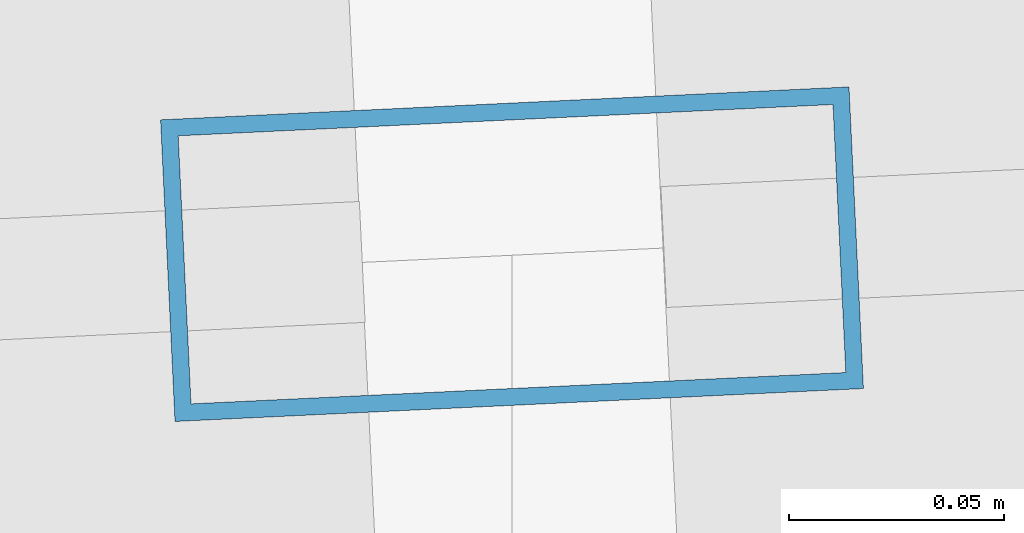
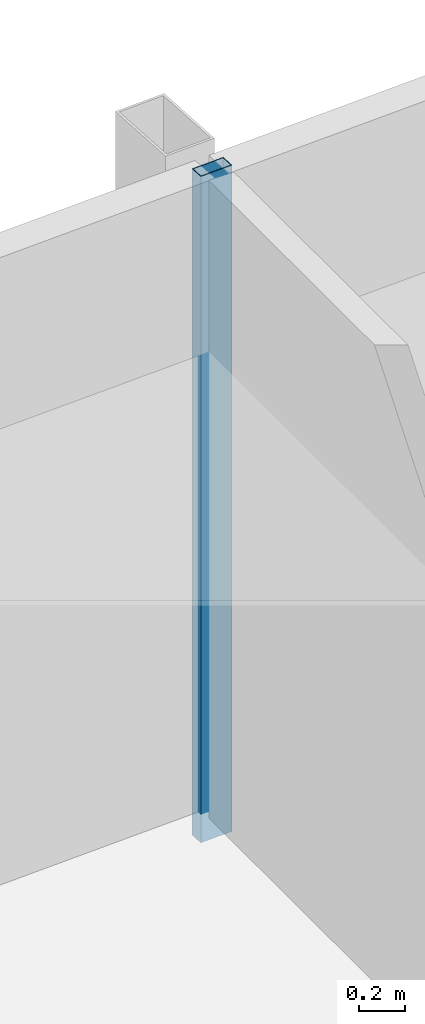
# One storey, part 21 of 38: 1 member, 1 element without a shape of its own.
"""IFC4 building model written with IfcOpenShell, lengths in metres."""

from ifc_helpers import new_model, si_unit, direction, frame, origin, origin_2d, place, context, subcontext, project, spatial, hollow_rectangle, extrude, material, material_profile, profile_set, type_object, element, aggregate, save


model = new_model("IFC4")

# Units and contexts
model_context = context("Model", 3, precision=1e-05, world=origin(), true_north=direction((0.0, 1.0)))
body_context = subcontext(model_context, "Body", "Model", "MODEL_VIEW")
ifc_project = project(units=[si_unit("LENGTHUNIT", "METRE"), si_unit("AREAUNIT", "SQUARE_METRE"), si_unit("VOLUMEUNIT", "CUBIC_METRE"), si_unit("PLANEANGLEUNIT", "RADIAN"), si_unit("MASSUNIT", "GRAM", prefix="KILO")], contexts=[model_context])

# Site, building, storey
site_placement = place(None, origin())
site = spatial("IfcSite", under=ifc_project, at=site_placement, CompositionType="ELEMENT")
building_placement = place(site_placement, origin())
building = spatial("IfcBuilding", under=site, at=building_placement, Name="Rekha Terrace Tower", CompositionType="ELEMENT")
storey_placement = place(building_placement, frame((0.0, 0.0, 202.699951171875)))
storey = spatial("IfcBuildingStorey", under=building, at=storey_placement, Name="L51", CompositionType="ELEMENT", Elevation=202.699951171875)

# Curtain wall, member
ifc_material_1 = material(Name="Aluminium framing", Category="aluminium")
curtain_wall_type = type_object("IfcCurtainWallType", Name="CW3 north unitised glazing", PredefinedType="USERDEFINED", material=ifc_material_1)
curtain_wall_placement = place(storey_placement, origin())
curtain_wall = element("IfcCurtainWall", 1, at=curtain_wall_placement, inside=storey, type_object=curtain_wall_type, Name="CW3 unitised curtain wall", ObjectType="UNITISED CURTAIN WALL", PredefinedType="USERDEFINED")
ifc_material_2 = material(Name="Aluminium mullion section", Category="aluminium")
ifc_material_profile = material_profile(ifc_material_2, hollow_rectangle(XDim=0.070068359375, YDim=0.159912109375, WallThickness=0.00390625, at=origin_2d()), Name="AL RHS 70x160")
ifc_profile_set = profile_set([ifc_material_profile], Name="Aluminium mullion section")
member_type = type_object("IfcMemberType", Name="CW3 mullion RHS 70 x 160", PredefinedType="MULLION", material=ifc_profile_set)
member_placement = place(storey_placement, frame((38.570068359375, 61.771240234375, 0.0), z_axis=(0.0, 0.0, 1.0), x_axis=(0.047758616983, -0.998858906204, 0.0)))
member = element("IfcMember", 2, at=member_placement, type_object=member_type, Name="CW3 mullion 2", PredefinedType="MULLION", context=body_context, shape_type="SweptSolid", body=[
    extrude(hollow_rectangle(XDim=0.070068359375, YDim=0.159912109375, WallThickness=0.00390625, at=origin_2d()), origin(), (0.0, 0.0, 1.0), 3.5),
])
aggregate(curtain_wall, [member])

save(model, "model.ifc")
